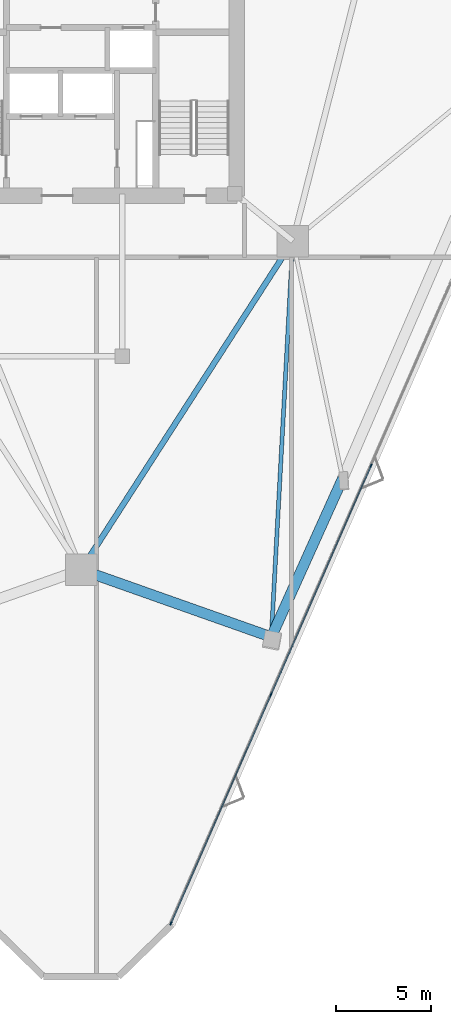
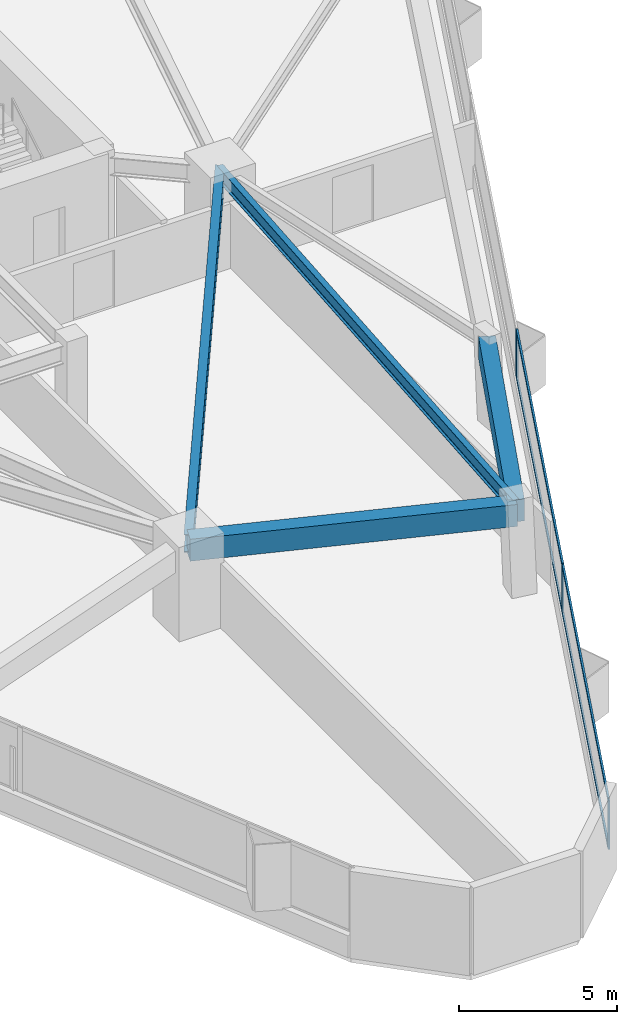
# One storey, part 4 of 17: 7 members, 4 beams, 1 element without a shape of its own.
"""IFC4 building model written with IfcOpenShell, lengths in metres."""

from ifc_helpers import new_model, si_unit, direction, frame, origin, origin_2d, place, context, subcontext, project, spatial, rectangle, i_section, extrude, material, layer, layer_set, material_profile, profile_set, type_object, element, aggregate, save


model = new_model("IFC4")

# Units and contexts
model_context = context("Model", 3, precision=1e-05, world=origin(), true_north=direction((0.0, 1.0)))
body_context = subcontext(model_context, "Body", "Model", "MODEL_VIEW")
ifc_project = project(units=[si_unit("LENGTHUNIT", "METRE"), si_unit("AREAUNIT", "SQUARE_METRE"), si_unit("VOLUMEUNIT", "CUBIC_METRE"), si_unit("PLANEANGLEUNIT", "RADIAN"), si_unit("MASSUNIT", "GRAM", prefix="KILO")], contexts=[model_context])

# Site, building, storey
site_placement = place(None, origin())
site = spatial("IfcSite", under=ifc_project, at=site_placement, CompositionType="ELEMENT")
building_placement = place(site_placement, origin())
building = spatial("IfcBuilding", under=site, at=building_placement, Name="Talyreon Biosciences Tower", CompositionType="ELEMENT")
storey_placement = place(building_placement, frame((0.0, 0.0, 93.25)))
storey = spatial("IfcBuildingStorey", under=building, at=storey_placement, Name="L24", CompositionType="ELEMENT", Elevation=93.25)

# Curtain wall, members
ifc_material_1 = material(Name="Thermally broken aluminium and low-E glazing", Category="aluminium")
ifc_layer = layer(ifc_material_1, 0.18994140625)
ifc_layer_set = layer_set([ifc_layer], Name="Thermally broken aluminium and low-E glazing")
curtain_wall_type = type_object("IfcCurtainWallType", Name="CurtainWall_Zone2Genomics", PredefinedType="NOTDEFINED", material=ifc_layer_set)
curtain_wall_placement = place(storey_placement, origin())
curtain_wall = element("IfcCurtainWall", 1, at=curtain_wall_placement, inside=storey, type_object=curtain_wall_type, Name="L24 Unitised Curtain Wall FCW-L24-08", PredefinedType="NOTDEFINED")
ifc_material_2 = material(Name="Anodised thermally broken aluminium", Category="aluminium")
ifc_material_profile_1 = material_profile(ifc_material_2, rectangle(XDim=0.06494140625, YDim=0.179931640625, at=origin_2d()), Name="ALUM MULLION 65x180")
ifc_profile_set_1 = profile_set([ifc_material_profile_1], Name="Anodised thermally broken aluminium")
member_type_1 = type_object("IfcMemberType", Name="CWMullion_65x180", PredefinedType="MULLION", material=ifc_profile_set_1)
member_1_placement = place(storey_placement, frame((81.178955078125, 47.115234375, 0.81005859375), z_axis=(0.0, 0.0, 1.0), x_axis=(0.916278218967, -0.400542414041, 0.0)))
member_1 = element("IfcMember", 2, at=member_1_placement, type_object=member_type_1, Name="CW3 mullion 4", PredefinedType="MULLION", context=body_context, shape_type="SweptSolid", body=[
    extrude(rectangle(XDim=0.06494140625, YDim=0.179931640625, at=origin_2d()), origin(), (0.0, 0.0, 1.0), 1.889892578125),
])
member_2_placement = place(storey_placement, frame((75.93505859375, 35.119384765625, 0.81005859375), z_axis=(0.0, 0.0, 1.0), x_axis=(0.916278218967, -0.400542414041, 0.0)))
member_2 = element("IfcMember", 3, at=member_2_placement, type_object=member_type_1, Name="CW3 mullion 5", PredefinedType="MULLION", context=body_context, shape_type="SweptSolid", body=[
    extrude(rectangle(XDim=0.06494140625, YDim=0.179931640625, at=origin_2d()), origin(), (0.0, 0.0, 1.0), 1.889892578125),
])
member_3_placement = place(storey_placement, frame((70.704345703125, 23.1533203125, 0.81005859375), z_axis=(0.0, 0.0, 1.0), x_axis=(0.916278218967, -0.400542414041, 0.0)))
member_3 = element("IfcMember", 4, at=member_3_placement, type_object=member_type_1, Name="CW3 mullion 6", PredefinedType="MULLION", context=body_context, shape_type="SweptSolid", body=[
    extrude(rectangle(XDim=0.06494140625, YDim=0.179931640625, at=origin_2d()), origin(), (0.0, 0.0, 1.0), 1.889892578125),
])
ifc_material_profile_2 = material_profile(ifc_material_2, rectangle(XDim=0.06494140625, YDim=0.139892578125, at=origin_2d()), Name="ALUM TRANSOM 65x140")
ifc_profile_set_2 = profile_set([ifc_material_profile_2], Name="Anodised thermally broken aluminium")
member_type_2 = type_object("IfcMemberType", Name="CWTransom_65x140", PredefinedType="USERDEFINED", material=ifc_profile_set_2)
member_4_placement = place(storey_placement, frame((81.166015625, 47.08544921875, 0.842529296875), z_axis=(-0.400538617789, -0.916279878454, 0.0), x_axis=(0.916279878454, -0.400538617789, 0.0)))
member_4 = element("IfcMember", 5, at=member_4_placement, type_object=member_type_2, Name="CW3 transom 4.1", ObjectType="TRANSOM", PredefinedType="USERDEFINED", context=body_context, shape_type="SweptSolid", body=[
    extrude(rectangle(XDim=0.06494140625, YDim=0.139892578125, at=origin_2d()), origin(), (0.0, 0.0, 1.0), 13.02685546875),
])
member_5_placement = place(storey_placement, frame((81.166015625, 47.08544921875, 2.66748046875), z_axis=(-0.400538617789, -0.916279878454, 0.0), x_axis=(0.916279878454, -0.400538617789, 0.0)))
member_5 = element("IfcMember", 6, at=member_5_placement, type_object=member_type_2, Name="CW3 transom 4.2", ObjectType="TRANSOM", PredefinedType="USERDEFINED", context=body_context, shape_type="SweptSolid", body=[
    extrude(rectangle(XDim=0.06494140625, YDim=0.139892578125, at=origin_2d()), origin(), (0.0, 0.0, 1.0), 13.02685546875),
])
member_6_placement = place(storey_placement, frame((75.922119140625, 35.089599609375, 0.842529296875), z_axis=(-0.400543831876, -0.916277599173, 0.0), x_axis=(0.916277599173, -0.400543831876, 0.0)))
member_6 = element("IfcMember", 7, at=member_6_placement, type_object=member_type_2, Name="CW3 transom 5.1", ObjectType="TRANSOM", PredefinedType="USERDEFINED", context=body_context, shape_type="SweptSolid", body=[
    extrude(rectangle(XDim=0.06494140625, YDim=0.139892578125, at=origin_2d()), origin(), (0.0, 0.0, 1.0), 12.994384765625),
])
member_7_placement = place(storey_placement, frame((75.922119140625, 35.089599609375, 2.66748046875), z_axis=(-0.400543831876, -0.916277599173, 0.0), x_axis=(0.916277599173, -0.400543831876, 0.0)))
member_7 = element("IfcMember", 8, at=member_7_placement, type_object=member_type_2, Name="CW3 transom 5.2", ObjectType="TRANSOM", PredefinedType="USERDEFINED", context=body_context, shape_type="SweptSolid", body=[
    extrude(rectangle(XDim=0.06494140625, YDim=0.139892578125, at=origin_2d()), origin(), (0.0, 0.0, 1.0), 12.994384765625),
])
aggregate(curtain_wall, [member_1, member_2, member_3, member_4, member_5, member_6, member_7])

# Beams
ifc_material_3 = material(Name="Precast concrete C45/55", Category="concrete")
ifc_material_profile_3 = material_profile(ifc_material_3, rectangle(XDim=0.550048828125, YDim=0.85009765625, at=origin_2d()), Name="RCB 550x850")
ifc_profile_set_3 = profile_set([ifc_material_profile_3], Name="Precast concrete C45/55")
beam_type_1 = type_object("IfcBeamType", Name="ExpressedSpandrel_550x850", PredefinedType="SPANDREL", material=ifc_profile_set_3)
beam_1_placement = place(storey_placement, frame((66.0, 41.6669921875, 2.949951171875), z_axis=(0.942804994077, -0.333344781186, 0.0), x_axis=(0.333344781186, 0.942804994077, 0.0)))
element("IfcBeam", 9, at=beam_1_placement, inside=storey, type_object=beam_type_1, Name="L24 Expressed Horizontal Concrete Spandrel 01", PredefinedType="SPANDREL", context=body_context, shape_type="SweptSolid", body=[
    extrude(rectangle(XDim=0.550048828125, YDim=0.85009765625, at=origin_2d()), origin(), (0.0, 0.0, 1.0), 10.562744140625),
])
beam_2_placement = place(storey_placement, frame((75.95849609375, 38.14599609375, 2.949951171875), z_axis=(0.41052976909, 0.911847195911, 0.0), x_axis=(-0.911847195911, 0.41052976909, 0.0)))
element("IfcBeam", 10, at=beam_2_placement, inside=storey, type_object=beam_type_1, Name="L24 Expressed Horizontal Concrete Spandrel 02", PredefinedType="SPANDREL", context=body_context, shape_type="SweptSolid", body=[
    extrude(rectangle(XDim=0.550048828125, YDim=0.85009765625, at=origin_2d()), origin(), (0.0, 0.0, 1.0), 9.10009765625),
])
ifc_material_4 = material(Name="Steel SM355", Category="steel")
ifc_material_profile_4 = material_profile(ifc_material_4, i_section(OverallWidth=0.300048828125, OverallDepth=0.699951171875, WebThickness=0.01708984375, FlangeThickness=0.031982421875, FilletRadius=0.027099609375, at=origin_2d()), Name="HE700B")
ifc_profile_set_4 = profile_set([ifc_material_profile_4], Name="Steel SM355")
beam_type_2 = type_object("IfcBeamType", Name="SteelGirder_HE700B", PredefinedType="BEAM", material=ifc_profile_set_4)
beam_3_placement = place(storey_placement, frame((66.0, 41.6669921875, 3.02490234375), z_axis=(0.541463723609, 0.840724114092, 0.0), x_axis=(-0.840724114092, 0.541463723609, 0.0)))
element("IfcBeam", 11, at=beam_3_placement, inside=storey, type_object=beam_type_2, Name="L24 Mega-Ring Girder 1", PredefinedType="BEAM", context=body_context, shape_type="SweptSolid", body=[
    extrude(i_section(OverallWidth=0.300048828125, OverallDepth=0.699951171875, WebThickness=0.01708984375, FlangeThickness=0.031982421875, FilletRadius=0.027099609375, at=origin_2d()), origin(), (0.0, 0.0, 1.0), 20.474365234375),
])
ifc_material_profile_5 = material_profile(ifc_material_4, i_section(OverallWidth=0.2099609375, OverallDepth=0.550048828125, WebThickness=0.010986328125, FlangeThickness=0.01708984375, FilletRadius=0.02392578125, at=origin_2d()), Name="IPE550")
ifc_profile_set_5 = profile_set([ifc_material_profile_5], Name="Steel SM355")
beam_type_3 = type_object("IfcBeamType", Name="SteelJoist_IPE550", PredefinedType="JOIST", material=ifc_profile_set_5)
beam_4_placement = place(storey_placement, frame((77.086181640625, 58.88037109375, 3.10009765625), z_axis=(-0.05430698569, -0.998524286788, 0.0), x_axis=(0.998524286788, -0.05430698569, 0.0)))
element("IfcBeam", 12, at=beam_4_placement, inside=storey, type_object=beam_type_3, Name="L24 Radial Composite Floor Joist PC-SE1", PredefinedType="JOIST", context=body_context, shape_type="SweptSolid", body=[
    extrude(i_section(OverallWidth=0.2099609375, OverallDepth=0.550048828125, WebThickness=0.010986328125, FlangeThickness=0.01708984375, FilletRadius=0.02392578125, at=origin_2d()), origin(), (0.0, 0.0, 1.0), 20.76513671875),
])

save(model, "model.ifc")
